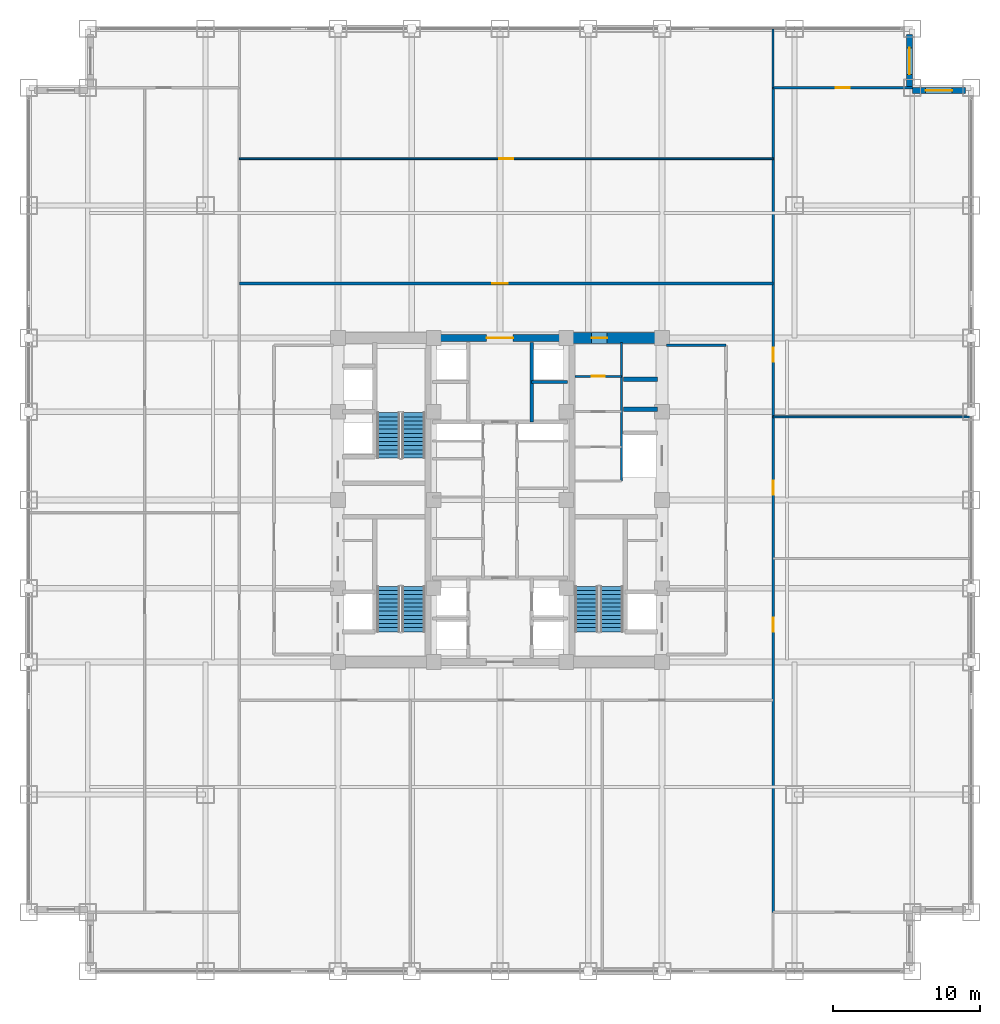
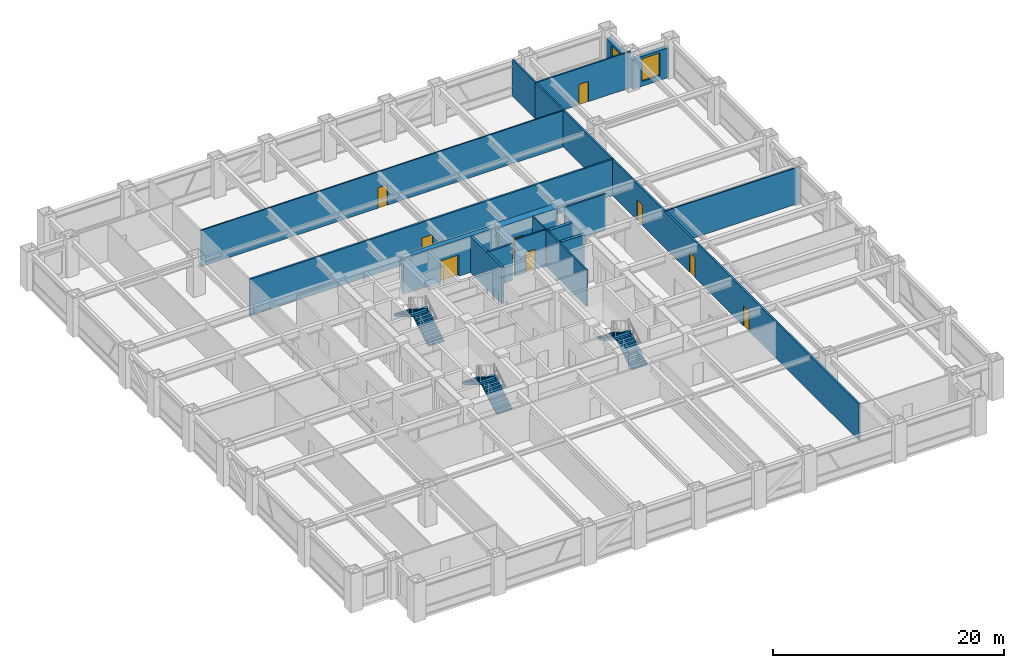
# One storey, part 26 of 27: 17 walls, 9 doors, 6 stair flights, 2 windows, 11 openings, 3 elements without a shape of their own.
"""IFC4 building model written with IfcOpenShell, lengths in metres."""

from ifc_helpers import new_model, si_unit, direction, frame, frame_2d, origin, place, context, subcontext, project, spatial, polyline, rectangle, outline, extrude, source, transform, mapped, material, layer, layer_set, type_object, element, fill, aggregate, save


model = new_model("IFC4")

# Units and contexts
model_context = context("Model", 3, precision=1e-05, world=origin(), true_north=direction((0.0, 1.0)))
body_context = subcontext(model_context, "Body", "Model", "MODEL_VIEW")
ifc_project = project(units=[si_unit("LENGTHUNIT", "METRE"), si_unit("AREAUNIT", "SQUARE_METRE"), si_unit("VOLUMEUNIT", "CUBIC_METRE"), si_unit("PLANEANGLEUNIT", "RADIAN"), si_unit("MASSUNIT", "GRAM", prefix="KILO")], contexts=[model_context])

# Site, building, storey
site_placement = place(None, origin())
site = spatial("IfcSite", under=ifc_project, at=site_placement, CompositionType="ELEMENT")
building_placement = place(site_placement, origin())
building = spatial("IfcBuilding", under=site, at=building_placement, Name="Khorayat Bourse Tower", CompositionType="ELEMENT")
storey_placement = place(building_placement, frame((0.0, 0.0, 111.89990234375)))
storey = spatial("IfcBuildingStorey", under=building, at=storey_placement, Name="L25", CompositionType="ELEMENT", Elevation=111.89990234375)

# Wall, opening, door
ifc_material_1 = material(Name="Concrete C72/90", Category="concrete")
ifc_layer_1 = layer(ifc_material_1, 0.75)
ifc_layer_set_1 = layer_set([ifc_layer_1], Name="Concrete C72/90")
wall_type_1 = type_object("IfcWallType", Name="WAL-CORE-750", PredefinedType="SHEAR", material=ifc_layer_set_1)
shared_shape_1 = source(origin(), body_context, "Body", "SweptSolid", [
    extrude(rectangle(XDim=5.849853515625, YDim=0.75, at=frame_2d((2.9248046875, 0.0))), origin(), (0.0, 0.0, 1.0), 3.840087890625),
])
wall_1_placement = place(storey_placement, frame((4.85009765625, 11.0, 0.0), z_axis=(0.0, 0.0, 1.0), x_axis=(1.0, 0.0, 0.0)))
wall_1 = element("IfcWall", 1, at=wall_1_placement, inside=storey, type_object=wall_type_1, Name="L25 Core Shear Wall PIER-EN", PredefinedType="SHEAR", context=body_context, shape_type="MappedRepresentation", body=[
    mapped(shared_shape_1, transform((0.0, 0.0, 0.0), scale=1.0)),
])
shared_shape_2 = source(origin(), body_context, "Body", "SweptSolid", [
    extrude(rectangle(XDim=1.050048828125, YDim=2.199951171875, at=frame_2d((0.52490234375, 1.10009765625))), frame((0.0, 0.385009765625, 0.0), z_axis=(0.0, -1.0, 0.0), x_axis=(1.0, 0.0, 0.0)), (0.0, 0.0, 1.0), 0.77001953125),
])
opening_1_placement = place(wall_1_placement, frame((1.375, 0.0, 0.0)))
opening_1 = element("IfcOpeningElement", 2, at=opening_1_placement, cuts=wall_1, Name="Opening DI-04", PredefinedType="OPENING", context=body_context, shape_type="MappedRepresentation", body=[
    mapped(shared_shape_2, transform((0.0, 0.0, 0.0), scale=1.0)),
])
ifc_material_2 = material(Name="Fire-rated oak veneer suite entrance door")
door_type_1 = type_object("IfcDoorType", Name="DR-INT-SUITE-1050", OperationType="NOTDEFINED", PredefinedType="DOOR", material=ifc_material_2)
shared_shape_3 = source(origin(), body_context, "Body", "SweptSolid", [
    extrude(rectangle(XDim=1.050048828125, YDim=2.199951171875, at=frame_2d((0.52490234375, 1.10009765625))), frame((0.0, 0.02490234375, 0.0), z_axis=(0.0, -1.0, 0.0), x_axis=(1.0, 0.0, 0.0)), (0.0, 0.0, 1.0), 0.050048828125),
])
door_1_placement = place(opening_1_placement, origin())
door_1 = element("IfcDoor", 3, at=door_1_placement, inside=storey, type_object=door_type_1, Name="L25 Core Washroom Lobby Door", OperationType="SINGLE_SWING_LEFT", OverallHeight=2.199951171875, OverallWidth=1.050048828125, PredefinedType="DOOR", context=body_context, shape_type="MappedRepresentation", body=[
    mapped(shared_shape_3, transform((0.0, 0.0, 0.0), scale=1.0)),
])
fill(opening_1, door_1)

ifc_material_3 = material(Name="Concrete C52/65", Category="concrete")
ifc_layer_2 = layer(ifc_material_3, 0.5)
ifc_layer_set_2 = layer_set([ifc_layer_2], Name="Concrete C52/65")
wall_type_2 = type_object("IfcWallType", Name="WAL-CORE-500", PredefinedType="SHEAR", material=ifc_layer_set_2)
shared_shape_4 = source(origin(), body_context, "Body", "SweptSolid", [
    extrude(rectangle(XDim=9.2001953125, YDim=0.5, at=frame_2d((4.60009765625, 0.0))), origin(), (0.0, 0.0, 1.0), 3.840087890625),
])
wall_2_placement = place(storey_placement, frame((-4.60009765625, 11.0, 0.0), z_axis=(0.0, 0.0, 1.0), x_axis=(1.0, 0.0, 0.0)))
wall_2 = element("IfcWall", 4, at=wall_2_placement, inside=storey, type_object=wall_type_2, Name="L25 Core Shear Wall CORE-N", PredefinedType="SHEAR", context=body_context, shape_type="MappedRepresentation", body=[
    mapped(shared_shape_4, transform((0.0, 0.0, 0.0), scale=1.0)),
])
shared_shape_5 = source(origin(), body_context, "Body", "SweptSolid", [
    extrude(rectangle(XDim=1.800048828125, YDim=2.25, at=frame_2d((0.89990234375, 1.125))), frame((0.0, 0.260009765625, 0.0), z_axis=(0.0, -1.0, 0.0), x_axis=(1.0, 0.0, 0.0)), (0.0, 0.0, 1.0), 0.52001953125),
])
opening_2_placement = place(wall_2_placement, frame((3.699951171875, 0.0, 0.0)))
opening_2 = element("IfcOpeningElement", 5, at=opening_2_placement, cuts=wall_2, Name="Opening DI-03", PredefinedType="OPENING", context=body_context, shape_type="MappedRepresentation", body=[
    mapped(shared_shape_5, transform((0.0, 0.0, 0.0), scale=1.0)),
])
ifc_material_4 = material(Name="Fire-rated hardwood vision-panel double leaf", Category="wood")
door_type_2 = type_object("IfcDoorType", Name="DR-INT-CORR-1800", OperationType="NOTDEFINED", PredefinedType="DOOR", material=ifc_material_4)
shared_shape_6 = source(origin(), body_context, "Body", "SweptSolid", [
    extrude(rectangle(XDim=1.800048828125, YDim=2.25, at=frame_2d((0.89990234375, 1.125))), frame((0.0, 0.02490234375, 0.0), z_axis=(0.0, -1.0, 0.0), x_axis=(1.0, 0.0, 0.0)), (0.0, 0.0, 1.0), 0.050048828125),
])
door_2_placement = place(opening_2_placement, origin())
door_2 = element("IfcDoor", 6, at=door_2_placement, inside=storey, type_object=door_type_2, Name="L25 Mid-Rise Lift Lobby Door", OperationType="SINGLE_SWING_RIGHT", OverallHeight=2.25, OverallWidth=1.800048828125, PredefinedType="DOOR", context=body_context, shape_type="MappedRepresentation", body=[
    mapped(shared_shape_6, transform((0.0, 0.0, 0.0), scale=1.0)),
])
fill(opening_2, door_2)

# Wall, opening, window
ifc_material_5 = material(Name="Precast concrete C45/55", Category="concrete")
ifc_layer_3 = layer(ifc_material_5, 0.3798828125)
ifc_layer_set_3 = layer_set([ifc_layer_3], Name="Precast concrete C45/55")
wall_type_3 = type_object("IfcWallType", Name="WAL-EXT-STONE-380", PredefinedType="STANDARD", material=ifc_layer_set_3)
shared_shape_7 = source(origin(), body_context, "Body", "SweptSolid", [
    extrude(rectangle(XDim=3.6201171875, YDim=0.3798828125, at=frame_2d((1.81005859375, 0.0))), origin(), (0.0, 0.0, 1.0), 3.14501953125),
])
wall_3_placement = place(storey_placement, frame((28.0, 27.81005859375, 0.0), z_axis=(0.0, 0.0, 1.0), x_axis=(1.0, 0.0, 0.0)))
wall_3 = element("IfcWall", 7, at=wall_3_placement, inside=storey, type_object=wall_type_3, Name="L25 Re-Entrant Notch Limestone Wall NE-H", PredefinedType="STANDARD", context=body_context, shape_type="MappedRepresentation", body=[
    mapped(shared_shape_7, transform((0.0, 0.0, 0.0), scale=1.0)),
])
shared_shape_8 = source(origin(), body_context, "Body", "SweptSolid", [
    extrude(rectangle(XDim=1.800048828125, YDim=2.39990234375, at=frame_2d((0.89990234375, 1.199951171875))), frame((0.0, 0.199951171875, 0.0), z_axis=(0.0, -1.0, 0.0), x_axis=(1.0, 0.0, 0.0)), (0.0, 0.0, 1.0), 0.39990234375),
])
opening_3_placement = place(wall_3_placement, frame((0.909912109375, 0.0, 0.5)))
opening_3 = element("IfcOpeningElement", 8, at=opening_3_placement, cuts=wall_3, Name="Opening WN-04", PredefinedType="OPENING", context=body_context, shape_type="MappedRepresentation", body=[
    mapped(shared_shape_8, transform((0.0, 0.0, 0.0), scale=1.0)),
])
ifc_material_6 = material(Name="Low-E acoustic laminated double glazing", Category="glass")
window_type = type_object("IfcWindowType", Name="WIN-NOTCH-1800x2400", PartitioningType="SINGLE_PANEL", PredefinedType="WINDOW", material=ifc_material_6)
shared_shape_9 = source(origin(), body_context, "Body", "SweptSolid", [
    extrude(rectangle(XDim=1.800048828125, YDim=2.39990234375, at=frame_2d((0.89990234375, 1.199951171875))), frame((0.0, 0.030029296875, 0.0), z_axis=(0.0, -1.0, 0.0), x_axis=(1.0, 0.0, 0.0)), (0.0, 0.0, 1.0), 0.06005859375),
])
window_1_placement = place(opening_3_placement, origin())
window_1 = element("IfcWindow", 9, at=window_1_placement, inside=storey, type_object=window_type, Name="L25 Facade Window 1", OverallHeight=2.39990234375, OverallWidth=1.800048828125, PartitioningType="SINGLE_PANEL", PredefinedType="WINDOW", context=body_context, shape_type="MappedRepresentation", body=[
    mapped(shared_shape_9, transform((0.0, 0.0, 0.0), scale=1.0)),
])
fill(opening_3, window_1)

wall_4_placement = place(storey_placement, frame((27.81005859375, 28.0, 0.0), z_axis=(0.0, 0.0, 1.0), x_axis=(0.0, 1.0, 0.0)))
wall_4 = element("IfcWall", 10, at=wall_4_placement, inside=storey, type_object=wall_type_3, Name="L25 Re-Entrant Notch Limestone Wall NE-V", PredefinedType="STANDARD", context=body_context, shape_type="MappedRepresentation", body=[
    mapped(shared_shape_7, transform((0.0, 0.0, 0.0), scale=1.0)),
])
opening_4_placement = place(wall_4_placement, frame((0.909912109375, 0.0, 0.5)))
opening_4 = element("IfcOpeningElement", 11, at=opening_4_placement, cuts=wall_4, Name="Opening WN-04", PredefinedType="OPENING", context=body_context, shape_type="MappedRepresentation", body=[
    mapped(shared_shape_8, transform((0.0, 0.0, 0.0), scale=1.0)),
])
window_2_placement = place(opening_4_placement, origin())
window_2 = element("IfcWindow", 12, at=window_2_placement, inside=storey, type_object=window_type, Name="L25 Facade Window 1", OverallHeight=2.39990234375, OverallWidth=1.800048828125, PartitioningType="SINGLE_PANEL", PredefinedType="WINDOW", context=body_context, shape_type="MappedRepresentation", body=[
    mapped(shared_shape_9, transform((0.0, 0.0, 0.0), scale=1.0)),
])
fill(opening_4, window_2)

# Walls
ifc_material_7 = material(Name="Concrete C50/60", Category="concrete")
ifc_layer_4 = layer(ifc_material_7, 0.300048828125)
ifc_layer_set_4 = layer_set([ifc_layer_4], Name="Concrete C50/60")
wall_type_4 = type_object("IfcWallType", Name="WAL-SHAFT-300", PredefinedType="SHEAR", material=ifc_layer_set_4)
shared_shape_10 = source(origin(), body_context, "Body", "SweptSolid", [
    extrude(rectangle(XDim=2.300048828125, YDim=0.300048828125, at=frame_2d((1.14990234375, 0.0))), origin(), (0.0, 0.0, 1.0), 3.840087890625),
])
for number, where, z_axis, x_axis, name in (
    (13, (8.39990234375, 6.14990234375, 0.0), (0.0, 0.0, 1.0), (1.0, 0.0, 0.0), "L25 Partition WAL-L25-EPIER-H3S"),
    (14, (8.39990234375, 8.199951171875, 0.0), (0.0, 0.0, 1.0), (1.0, 0.0, 0.0), "L25 Partition WAL-L25-EPIER-H34"),
):
    element("IfcWall", number, at=place(storey_placement, frame(where, z_axis=z_axis, x_axis=x_axis)), inside=storey, type_object=wall_type_4, Name=name, PredefinedType="SHEAR", context=body_context, shape_type="MappedRepresentation", body=[
        mapped(shared_shape_10, transform((0.0, 0.0, 0.0), scale=1.0)),
    ])
ifc_material_8 = material(Name="Moisture-resistant masonry partition", Category="masonry")
ifc_layer_5 = layer(ifc_material_8, 0.139892578125)
ifc_layer_set_5 = layer_set([ifc_layer_5], Name="Moisture-resistant masonry partition")
wall_type_5 = type_object("IfcWallType", Name="WAL-PART-WET-140", PredefinedType="PARTITIONING", material=ifc_layer_set_5)
shared_shape_11 = source(origin(), body_context, "Body", "SweptSolid", [
    extrude(rectangle(XDim=9.39990234375, YDim=0.139892578125, at=frame_2d((4.699951171875, 0.0))), origin(), (0.0, 0.0, 1.0), 3.840087890625),
])
wall_5_placement = place(storey_placement, frame((8.25, 1.300048828125, 0.0), z_axis=(0.0, 0.0, 1.0), x_axis=(0.0, 1.0, 0.0)))
element("IfcWall", 15, at=wall_5_placement, inside=storey, type_object=wall_type_5, Name="L25 Partition WAL-L25-ECORE-E", PredefinedType="PARTITIONING", context=body_context, shape_type="MappedRepresentation", body=[
    mapped(shared_shape_11, transform((0.0, 0.0, 0.0), scale=1.0)),
])

# Wall, opening, door
shared_shape_12 = source(origin(), body_context, "Body", "SweptSolid", [
    extrude(rectangle(XDim=3.14990234375, YDim=0.139892578125, at=frame_2d((1.574951171875, 0.0))), origin(), (0.0, 0.0, 1.0), 3.840087890625),
])
wall_6_placement = place(storey_placement, frame((5.10009765625, 8.39990234375, 0.0), z_axis=(0.0, 0.0, 1.0), x_axis=(1.0, 0.0, 0.0)))
wall_6 = element("IfcWall", 16, at=wall_6_placement, inside=storey, type_object=wall_type_5, Name="L25 Partition WAL-L25-ECW-TOP", PredefinedType="PARTITIONING", context=body_context, shape_type="MappedRepresentation", body=[
    mapped(shared_shape_12, transform((0.0, 0.0, 0.0), scale=1.0)),
])
shared_shape_13 = source(origin(), body_context, "Body", "SweptSolid", [
    extrude(rectangle(XDim=0.89990234375, YDim=2.14990234375, at=frame_2d((0.449951171875, 1.074951171875))), frame((0.0, 0.079833984375, 0.0), z_axis=(0.0, -1.0, 0.0), x_axis=(1.0, 0.0, 0.0)), (0.0, 0.0, 1.0), 0.159912109375),
])
opening_5_placement = place(wall_6_placement, frame((1.1298828125, 0.0, 0.0)))
opening_5 = element("IfcOpeningElement", 17, at=opening_5_placement, cuts=wall_6, Name="Opening DI-06", PredefinedType="OPENING", context=body_context, shape_type="MappedRepresentation", body=[
    mapped(shared_shape_13, transform((0.0, 0.0, 0.0), scale=1.0)),
])
ifc_material_9 = material(Name="Moisture-resistant laminate washroom door")
door_type_3 = type_object("IfcDoorType", Name="DR-INT-WC-900", OperationType="NOTDEFINED", PredefinedType="DOOR", material=ifc_material_9)
shared_shape_14 = source(origin(), body_context, "Body", "SweptSolid", [
    extrude(rectangle(XDim=0.89990234375, YDim=2.14990234375, at=frame_2d((0.449951171875, 1.074951171875))), frame((0.0, 0.02490234375, 0.0), z_axis=(0.0, -1.0, 0.0), x_axis=(1.0, 0.0, 0.0)), (0.0, 0.0, 1.0), 0.050048828125),
])
door_3_placement = place(opening_5_placement, origin())
door_3 = element("IfcDoor", 18, at=door_3_placement, inside=storey, type_object=door_type_3, Name="L25 Accessible WC Door", OperationType="SINGLE_SWING_LEFT", OverallHeight=2.14990234375, OverallWidth=0.89990234375, PredefinedType="DOOR", context=body_context, shape_type="MappedRepresentation", body=[
    mapped(shared_shape_14, transform((0.0, 0.0, 0.0), scale=1.0)),
])
fill(opening_5, door_3)

# Walls
ifc_material_10 = material(Name="Gypsum plasterboard acoustic stud wall")
ifc_layer_6 = layer(ifc_material_10, 0.179931640625)
ifc_layer_set_6 = layer_set([ifc_layer_6], Name="Gypsum plasterboard acoustic stud wall")
wall_type_6 = type_object("IfcWallType", Name="WAL-PART-CORR-180", PredefinedType="PARTITIONING", material=ifc_layer_set_6)
shared_shape_15 = source(origin(), body_context, "Body", "SweptSolid", [
    extrude(rectangle(XDim=4.050048828125, YDim=0.179931640625, at=frame_2d((2.02490234375, 0.0))), origin(), (0.0, 0.0, 1.0), 3.840087890625),
])
wall_7_placement = place(storey_placement, frame((11.300048828125, 10.5, 0.0), z_axis=(0.0, 0.0, 1.0), x_axis=(1.0, 0.0, 0.0)))
element("IfcWall", 19, at=wall_7_placement, inside=storey, type_object=wall_type_6, Name="L25 Partition WAL-L25-ELOB-N", PredefinedType="PARTITIONING", context=body_context, shape_type="MappedRepresentation", body=[
    mapped(shared_shape_15, transform((0.0, 0.0, 0.0), scale=1.0)),
])
shared_shape_16 = source(origin(), body_context, "Body", "SweptSolid", [
    extrude(rectangle(XDim=5.39990234375, YDim=0.25, at=frame_2d((2.699951171875, 0.0))), origin(), (0.0, 0.0, 1.0), 3.840087890625),
])
wall_8_placement = place(storey_placement, frame((2.14990234375, 5.300048828125, 0.0), z_axis=(0.0, 0.0, 1.0), x_axis=(0.0, 1.0, 0.0)))
element("IfcWall", 20, at=wall_8_placement, inside=storey, type_object=wall_type_4, Name="L25 Partition WAL-L25-B2-E", PredefinedType="SHEAR", context=body_context, shape_type="MappedRepresentation", body=[
    mapped(shared_shape_16, transform((0.0, 0.0, 0.0), scale=1.0)),
])
shared_shape_17 = source(origin(), body_context, "Body", "SweptSolid", [
    extrude(rectangle(XDim=2.4501953125, YDim=0.199951171875, at=frame_2d((1.22509765625, 0.0))), origin(), (0.0, 0.0, 1.0), 3.840087890625),
])
wall_9_placement = place(storey_placement, frame((2.14990234375, 8.0, 0.0), z_axis=(0.0, 0.0, 1.0), x_axis=(1.0, 0.0, 0.0)))
element("IfcWall", 21, at=wall_9_placement, inside=storey, type_object=wall_type_4, Name="L25 Partition WAL-L25-B2-ME", PredefinedType="SHEAR", context=body_context, shape_type="MappedRepresentation", body=[
    mapped(shared_shape_17, transform((0.0, 0.0, 0.0), scale=1.0)),
])
ifc_material_11 = material(Name="Gypsum plasterboard twin-frame partition")
ifc_layer_7 = layer(ifc_material_11, 0.14990234375)
ifc_layer_set_7 = layer_set([ifc_layer_7], Name="Gypsum plasterboard twin-frame partition")
wall_type_7 = type_object("IfcWallType", Name="WAL-PART-SUITE-150", PredefinedType="PARTITIONING", material=ifc_layer_set_7)
shared_shape_18 = source(origin(), body_context, "Body", "SweptSolid", [
    extrude(rectangle(XDim=4.0, YDim=0.14990234375, at=frame_2d((2.0, 0.0))), origin(), (0.0, 0.0, 1.0), 3.840087890625),
])
wall_10_placement = place(storey_placement, frame((18.550048828125, 28.0, 0.0), z_axis=(0.0, 0.0, 1.0), x_axis=(0.0, 1.0, 0.0)))
element("IfcWall", 22, at=wall_10_placement, inside=storey, type_object=wall_type_7, Name="L25 Partition WAL-L25-NCE-END", PredefinedType="PARTITIONING", context=body_context, shape_type="MappedRepresentation", body=[
    mapped(shared_shape_18, transform((0.0, 0.0, 0.0), scale=1.0)),
])

# Wall, openings, doors
shared_shape_19 = source(origin(), body_context, "Body", "SweptSolid", [
    extrude(rectangle(XDim=56.0, YDim=0.179931640625, at=frame_2d((28.0, 0.0))), origin(), (0.0, 0.0, 1.0), 3.840087890625),
])
wall_11_placement = place(storey_placement, frame((18.550048828125, -28.0, 0.0), z_axis=(0.0, 0.0, 1.0), x_axis=(0.0, 1.0, 0.0)))
wall_11 = element("IfcWall", 23, at=wall_11_placement, inside=storey, type_object=wall_type_6, Name="L25 Partition WAL-L25-ECORR", PredefinedType="PARTITIONING", context=body_context, shape_type="MappedRepresentation", body=[
    mapped(shared_shape_19, transform((0.0, 0.0, 0.0), scale=1.0)),
])
shared_shape_20 = source(origin(), body_context, "Body", "SweptSolid", [
    extrude(rectangle(XDim=0.949951171875, YDim=2.14990234375, at=frame_2d((0.47509765625, 1.074951171875))), frame((0.0, 0.099853515625, 0.0), z_axis=(0.0, -1.0, 0.0), x_axis=(1.0, 0.0, 0.0)), (0.0, 0.0, 1.0), 0.199951171875),
])
opening_6_placement = place(wall_11_placement, frame((19.035888671875, 0.0, 0.0)))
opening_6 = element("IfcOpeningElement", 24, at=opening_6_placement, cuts=wall_11, Name="Opening DI-05", PredefinedType="OPENING", context=body_context, shape_type="MappedRepresentation", body=[
    mapped(shared_shape_20, transform((0.0, 0.0, 0.0), scale=1.0)),
])
opening_7_placement = place(wall_11_placement, frame((28.35791015625, 0.0, 0.0)))
opening_7 = element("IfcOpeningElement", 25, at=opening_7_placement, cuts=wall_11, Name="Opening DI-05", PredefinedType="OPENING", context=body_context, shape_type="MappedRepresentation", body=[
    mapped(shared_shape_20, transform((0.0, 0.0, 0.0), scale=1.0)),
])
opening_8_placement = place(wall_11_placement, frame((37.39697265625, 0.0, 0.0)))
opening_8 = element("IfcOpeningElement", 26, at=opening_8_placement, cuts=wall_11, Name="Opening DI-05", PredefinedType="OPENING", context=body_context, shape_type="MappedRepresentation", body=[
    mapped(shared_shape_20, transform((0.0, 0.0, 0.0), scale=1.0)),
])
ifc_material_12 = material(Name="Acoustic oak veneer office door")
door_type_4 = type_object("IfcDoorType", Name="DR-INT-OFFICE-950", OperationType="NOTDEFINED", PredefinedType="DOOR", material=ifc_material_12)
shared_shape_21 = source(origin(), body_context, "Body", "SweptSolid", [
    extrude(rectangle(XDim=0.949951171875, YDim=2.14990234375, at=frame_2d((0.47509765625, 1.074951171875))), frame((0.0, 0.02490234375, 0.0), z_axis=(0.0, -1.0, 0.0), x_axis=(1.0, 0.0, 0.0)), (0.0, 0.0, 1.0), 0.050048828125),
])
door_4_placement = place(opening_6_placement, origin())
door_4 = element("IfcDoor", 27, at=door_4_placement, inside=storey, type_object=door_type_4, Name="L25 Floor Reception Concierge E1 Door", OperationType="SINGLE_SWING_RIGHT", OverallHeight=2.14990234375, OverallWidth=0.949951171875, PredefinedType="DOOR", context=body_context, shape_type="MappedRepresentation", body=[
    mapped(shared_shape_21, transform((0.0, 0.0, 0.0), scale=1.0)),
])
fill(opening_6, door_4)
door_5_placement = place(opening_7_placement, origin())
door_5 = element("IfcDoor", 28, at=door_5_placement, inside=storey, type_object=door_type_4, Name="L25 Equities Trading Desk E2 Door", OperationType="SINGLE_SWING_LEFT", OverallHeight=2.14990234375, OverallWidth=0.949951171875, PredefinedType="DOOR", context=body_context, shape_type="MappedRepresentation", body=[
    mapped(shared_shape_21, transform((0.0, 0.0, 0.0), scale=1.0)),
])
fill(opening_7, door_5)
door_6_placement = place(opening_8_placement, origin())
door_6 = element("IfcDoor", 29, at=door_6_placement, inside=storey, type_object=door_type_4, Name="L25 Executive Boardroom E3 Door", OperationType="SINGLE_SWING_RIGHT", OverallHeight=2.14990234375, OverallWidth=0.949951171875, PredefinedType="DOOR", context=body_context, shape_type="MappedRepresentation", body=[
    mapped(shared_shape_21, transform((0.0, 0.0, 0.0), scale=1.0)),
])
fill(opening_8, door_6)

# Wall, opening, door
shared_shape_22 = source(origin(), body_context, "Body", "SweptSolid", [
    extrude(rectangle(XDim=36.25, YDim=0.179931640625, at=frame_2d((18.125, 0.0))), origin(), (0.0, 0.0, 1.0), 3.840087890625),
])
wall_12_placement = place(storey_placement, frame((-17.699951171875, 14.699951171875, 0.0), z_axis=(0.0, 0.0, 1.0), x_axis=(1.0, 0.0, 0.0)))
wall_12 = element("IfcWall", 30, at=wall_12_placement, inside=storey, type_object=wall_type_6, Name="L25 Partition WAL-L25-NCORR", PredefinedType="PARTITIONING", context=body_context, shape_type="MappedRepresentation", body=[
    mapped(shared_shape_22, transform((0.0, 0.0, 0.0), scale=1.0)),
])
shared_shape_23 = source(origin(), body_context, "Body", "SweptSolid", [
    extrude(rectangle(XDim=1.050048828125, YDim=2.199951171875, at=frame_2d((0.52490234375, 1.10009765625))), frame((0.0, 0.099853515625, 0.0), z_axis=(0.0, -1.0, 0.0), x_axis=(1.0, 0.0, 0.0)), (0.0, 0.0, 1.0), 0.199951171875),
])
opening_9_placement = place(wall_12_placement, frame((17.175048828125, 0.0, 0.0)))
opening_9 = element("IfcOpeningElement", 31, at=opening_9_placement, cuts=wall_12, Name="Opening DI-04", PredefinedType="OPENING", context=body_context, shape_type="MappedRepresentation", body=[
    mapped(shared_shape_23, transform((0.0, 0.0, 0.0), scale=1.0)),
])
door_7_placement = place(opening_9_placement, origin())
door_7 = element("IfcDoor", 32, at=door_7_placement, inside=storey, type_object=door_type_1, Name="L25 Financial Training Classroom N1 Door", OperationType="SINGLE_SWING_RIGHT", OverallHeight=2.199951171875, OverallWidth=1.050048828125, PredefinedType="DOOR", context=body_context, shape_type="MappedRepresentation", body=[
    mapped(shared_shape_3, transform((0.0, 0.0, 0.0), scale=1.0)),
])
fill(opening_9, door_7)

ifc_material_13 = material(Name="Gypsum plasterboard partition")
ifc_layer_8 = layer(ifc_material_13, 0.125)
ifc_layer_set_8 = layer_set([ifc_layer_8], Name="Gypsum plasterboard partition")
wall_type_8 = type_object("IfcWallType", Name="WAL-PART-ROOM-125", PredefinedType="PARTITIONING", material=ifc_layer_set_8)
shared_shape_24 = source(origin(), body_context, "Body", "SweptSolid", [
    extrude(rectangle(XDim=36.25, YDim=0.125, at=frame_2d((18.125, 0.0))), origin(), (0.0, 0.0, 1.0), 3.840087890625),
])
wall_13_placement = place(storey_placement, frame((-17.699951171875, 23.177001953125, 0.0), z_axis=(0.0, 0.0, 1.0), x_axis=(1.0, 0.0, 0.0)))
wall_13 = element("IfcWall", 33, at=wall_13_placement, inside=storey, type_object=wall_type_8, Name="L25 Partition WAL-L25-NDP-1", PredefinedType="PARTITIONING", context=body_context, shape_type="MappedRepresentation", body=[
    mapped(shared_shape_24, transform((0.0, 0.0, 0.0), scale=1.0)),
])
shared_shape_25 = source(origin(), body_context, "Body", "SweptSolid", [
    extrude(rectangle(XDim=0.949951171875, YDim=2.14990234375, at=frame_2d((0.47509765625, 1.074951171875))), frame((0.0, 0.072509765625, 0.0), z_axis=(0.0, -1.0, 0.0), x_axis=(1.0, 0.0, 0.0)), (0.0, 0.0, 1.0), 0.14501953125),
])
opening_10_placement = place(wall_13_placement, frame((17.64990234375, 0.0, 0.0)))
opening_10 = element("IfcOpeningElement", 34, at=opening_10_placement, cuts=wall_13, Name="Opening DI-05", PredefinedType="OPENING", context=body_context, shape_type="MappedRepresentation", body=[
    mapped(shared_shape_25, transform((0.0, 0.0, 0.0), scale=1.0)),
])
door_8_placement = place(opening_10_placement, origin())
door_8 = element("IfcDoor", 35, at=door_8_placement, inside=storey, type_object=door_type_4, Name="L25 Market Committee Conference Room N1B Door", OperationType="SINGLE_SWING_RIGHT", OverallHeight=2.14990234375, OverallWidth=0.949951171875, PredefinedType="DOOR", context=body_context, shape_type="MappedRepresentation", body=[
    mapped(shared_shape_21, transform((0.0, 0.0, 0.0), scale=1.0)),
])
fill(opening_10, door_8)

# Wall
shared_shape_26 = source(origin(), body_context, "Body", "SweptSolid", [
    extrude(rectangle(XDim=13.449951171875, YDim=0.125, at=frame_2d((6.72509765625, 0.0))), origin(), (0.0, 0.0, 1.0), 3.840087890625),
])
wall_14_placement = place(storey_placement, frame((18.550048828125, 5.64404296875, 0.0), z_axis=(0.0, 0.0, 1.0), x_axis=(1.0, 0.0, 0.0)))
element("IfcWall", 36, at=wall_14_placement, inside=storey, type_object=wall_type_8, Name="L25 Partition WAL-L25-EDV-2", PredefinedType="PARTITIONING", context=body_context, shape_type="MappedRepresentation", body=[
    mapped(shared_shape_26, transform((0.0, 0.0, 0.0), scale=1.0)),
])

# Wall, opening, door
shared_shape_27 = source(origin(), body_context, "Body", "SweptSolid", [
    extrude(rectangle(XDim=9.449951171875, YDim=0.14990234375, at=frame_2d((4.72509765625, 0.0))), origin(), (0.0, 0.0, 1.0), 3.840087890625),
])
wall_15_placement = place(storey_placement, frame((18.550048828125, 28.0, 0.0), z_axis=(0.0, 0.0, 1.0), x_axis=(1.0, 0.0, 0.0)))
wall_15 = element("IfcWall", 37, at=wall_15_placement, inside=storey, type_object=wall_type_7, Name="L25 Partition WAL-L25-CNE", PredefinedType="PARTITIONING", context=body_context, shape_type="MappedRepresentation", body=[
    mapped(shared_shape_27, transform((0.0, 0.0, 0.0), scale=1.0)),
])
shared_shape_28 = source(origin(), body_context, "Body", "SweptSolid", [
    extrude(rectangle(XDim=0.949951171875, YDim=2.14990234375, at=frame_2d((0.47509765625, 1.074951171875))), frame((0.0, 0.0849609375, 0.0), z_axis=(0.0, -1.0, 0.0), x_axis=(1.0, 0.0, 0.0)), (0.0, 0.0, 1.0), 0.169921875),
])
opening_11_placement = place(wall_15_placement, frame((4.25, 0.0, 0.0)))
opening_11 = element("IfcOpeningElement", 38, at=opening_11_placement, cuts=wall_15, Name="Opening DI-05", PredefinedType="OPENING", context=body_context, shape_type="MappedRepresentation", body=[
    mapped(shared_shape_28, transform((0.0, 0.0, 0.0), scale=1.0)),
])
door_9_placement = place(opening_11_placement, origin())
door_9 = element("IfcDoor", 39, at=door_9_placement, inside=storey, type_object=door_type_4, Name="L25 North-East Corner Lounge Door", OperationType="SINGLE_SWING_LEFT", OverallHeight=2.14990234375, OverallWidth=0.949951171875, PredefinedType="DOOR", context=body_context, shape_type="MappedRepresentation", body=[
    mapped(shared_shape_21, transform((0.0, 0.0, 0.0), scale=1.0)),
])
fill(opening_11, door_9)

# Stair, stair flights
ifc_material_14 = material(Name="Concrete C40/50", Category="concrete")
stair_type = type_object("IfcStairType", Name="STR-CORE-1550", PredefinedType="HALF_TURN_STAIR", material=ifc_material_14)
stair_1_placement = place(storey_placement, origin())
stair_1 = element("IfcStair", 40, at=stair_1_placement, inside=storey, type_object=stair_type, Name="L25 Exit Stair ST-1", PredefinedType="HALF_TURN_STAIR")
stair_flight_type = type_object("IfcStairFlightType", Name="FLT-CORE-1550", PredefinedType="STRAIGHT", material=ifc_material_14)
shared_shape_29 = source(origin(), body_context, "Body", "SweptSolid", [
    extrude(outline(polyline([(0.0, 0.0), (0.0, 0.1708984375), (0.280029296875, 0.1708984375), (0.280029296875, 0.341552734375), (0.56005859375, 0.341552734375), (0.56005859375, 0.512451171875), (0.840087890625, 0.512451171875), (0.840087890625, 0.683349609375), (1.1201171875, 0.683349609375), (1.1201171875, 0.854248046875), (1.39990234375, 0.854248046875), (1.39990234375, 1.02490234375), (1.679931640625, 1.02490234375), (1.679931640625, 1.19580078125), (1.9599609375, 1.19580078125), (1.9599609375, 1.36669921875), (2.239990234375, 1.36669921875), (2.239990234375, 1.53759765625), (2.52001953125, 1.53759765625), (2.52001953125, 1.708251953125), (2.800048828125, 1.708251953125), (2.800048828125, 1.879150390625), (3.080078125, 1.879150390625), (3.080078125, 2.050048828125), (3.080078125, 1.66845703125), (0.345458984375, 0.0), (0.0, 0.0)])), frame((0.0, 0.77490234375, 0.0), z_axis=(0.0, -1.0, 0.0), x_axis=(1.0, 0.0, 0.0)), (0.0, 0.0, 1.0), 1.550048828125),
])
stair_flight_1_placement = place(storey_placement, frame((-5.875, -8.949951171875, 0.0), z_axis=(0.0, 0.0, 1.0), x_axis=(0.0, 1.0, 0.0)))
stair_flight_1 = element("IfcStairFlight", 41, at=stair_flight_1_placement, type_object=stair_flight_type, Name="ST-1 flight 1", NumberOfRisers=12, NumberOfTreads=11, PredefinedType="STRAIGHT", RiserHeight=0.170833333, TreadLength=0.28, context=body_context, shape_type="MappedRepresentation", body=[
    mapped(shared_shape_29, transform((0.0, 0.0, 0.0), scale=1.0)),
])
stair_flight_2_placement = place(storey_placement, frame((-7.574951171875, -5.8701171875, 2.050048828125), z_axis=(0.0, 0.0, 1.0), x_axis=(0.0, -1.0, 0.0)))
stair_flight_2 = element("IfcStairFlight", 42, at=stair_flight_2_placement, type_object=stair_flight_type, Name="ST-1 flight 2", NumberOfRisers=12, NumberOfTreads=11, PredefinedType="STRAIGHT", RiserHeight=0.170833333, TreadLength=0.28, context=body_context, shape_type="MappedRepresentation", body=[
    mapped(shared_shape_29, transform((0.0, 0.0, 0.0), scale=1.0)),
])
aggregate(stair_1, [stair_flight_1, stair_flight_2])

stair_2_placement = place(storey_placement, origin())
stair_2 = element("IfcStair", 43, at=stair_2_placement, inside=storey, type_object=stair_type, Name="L25 Exit Stair ST-2", PredefinedType="HALF_TURN_STAIR")
stair_flight_3_placement = place(storey_placement, frame((-5.875, 2.85009765625, 0.0), z_axis=(0.0, 0.0, 1.0), x_axis=(0.0, 1.0, 0.0)))
stair_flight_3 = element("IfcStairFlight", 44, at=stair_flight_3_placement, type_object=stair_flight_type, Name="ST-2 flight 1", NumberOfRisers=12, NumberOfTreads=11, PredefinedType="STRAIGHT", RiserHeight=0.170833333, TreadLength=0.28, context=body_context, shape_type="MappedRepresentation", body=[
    mapped(shared_shape_29, transform((0.0, 0.0, 0.0), scale=1.0)),
])
stair_flight_4_placement = place(storey_placement, frame((-7.574951171875, 5.929931640625, 2.050048828125), z_axis=(0.0, 0.0, 1.0), x_axis=(0.0, -1.0, 0.0)))
stair_flight_4 = element("IfcStairFlight", 45, at=stair_flight_4_placement, type_object=stair_flight_type, Name="ST-2 flight 2", NumberOfRisers=12, NumberOfTreads=11, PredefinedType="STRAIGHT", RiserHeight=0.170833333, TreadLength=0.28, context=body_context, shape_type="MappedRepresentation", body=[
    mapped(shared_shape_29, transform((0.0, 0.0, 0.0), scale=1.0)),
])
aggregate(stair_2, [stair_flight_3, stair_flight_4])

stair_3_placement = place(storey_placement, origin())
stair_3 = element("IfcStair", 46, at=stair_3_placement, inside=storey, type_object=stair_type, Name="L25 Exit Stair ST-3", PredefinedType="HALF_TURN_STAIR")
stair_flight_5_placement = place(storey_placement, frame((7.574951171875, -8.949951171875, 0.0), z_axis=(0.0, 0.0, 1.0), x_axis=(0.0, 1.0, 0.0)))
stair_flight_5 = element("IfcStairFlight", 47, at=stair_flight_5_placement, type_object=stair_flight_type, Name="ST-3 flight 1", NumberOfRisers=12, NumberOfTreads=11, PredefinedType="STRAIGHT", RiserHeight=0.170833333, TreadLength=0.28, context=body_context, shape_type="MappedRepresentation", body=[
    mapped(shared_shape_29, transform((0.0, 0.0, 0.0), scale=1.0)),
])
stair_flight_6_placement = place(storey_placement, frame((5.875, -5.8701171875, 2.050048828125), z_axis=(0.0, 0.0, 1.0), x_axis=(0.0, -1.0, 0.0)))
stair_flight_6 = element("IfcStairFlight", 48, at=stair_flight_6_placement, type_object=stair_flight_type, Name="ST-3 flight 2", NumberOfRisers=12, NumberOfTreads=11, PredefinedType="STRAIGHT", RiserHeight=0.170833333, TreadLength=0.28, context=body_context, shape_type="MappedRepresentation", body=[
    mapped(shared_shape_29, transform((0.0, 0.0, 0.0), scale=1.0)),
])
aggregate(stair_3, [stair_flight_5, stair_flight_6])

save(model, "model.ifc")
